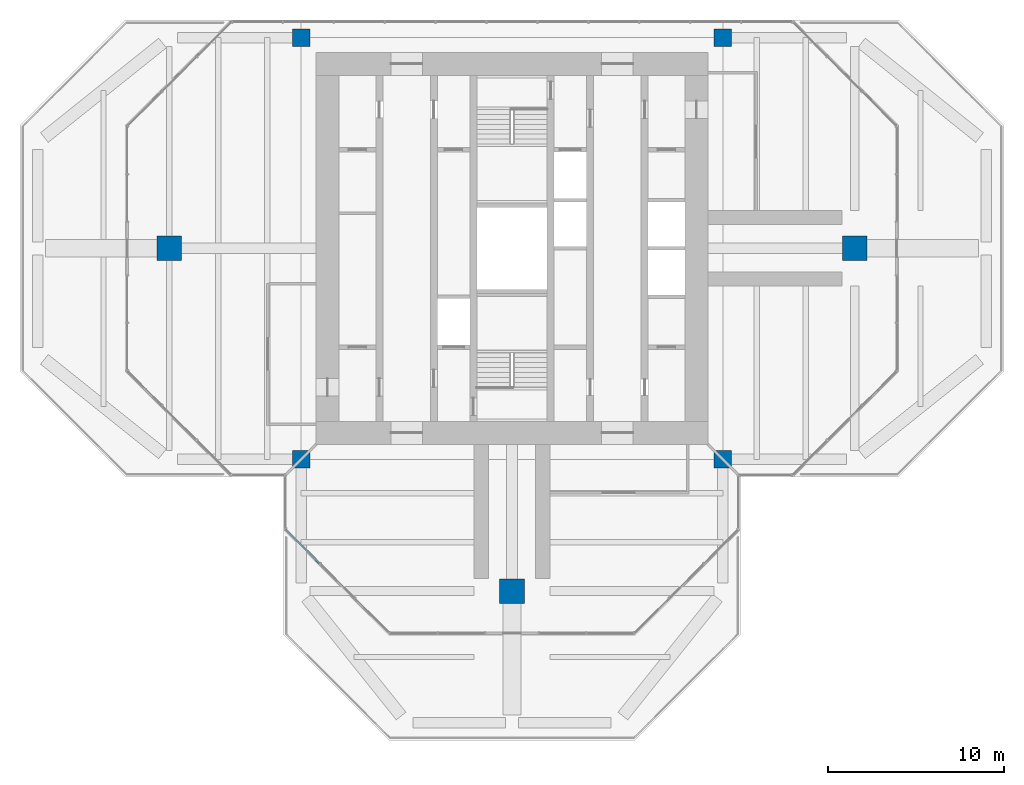
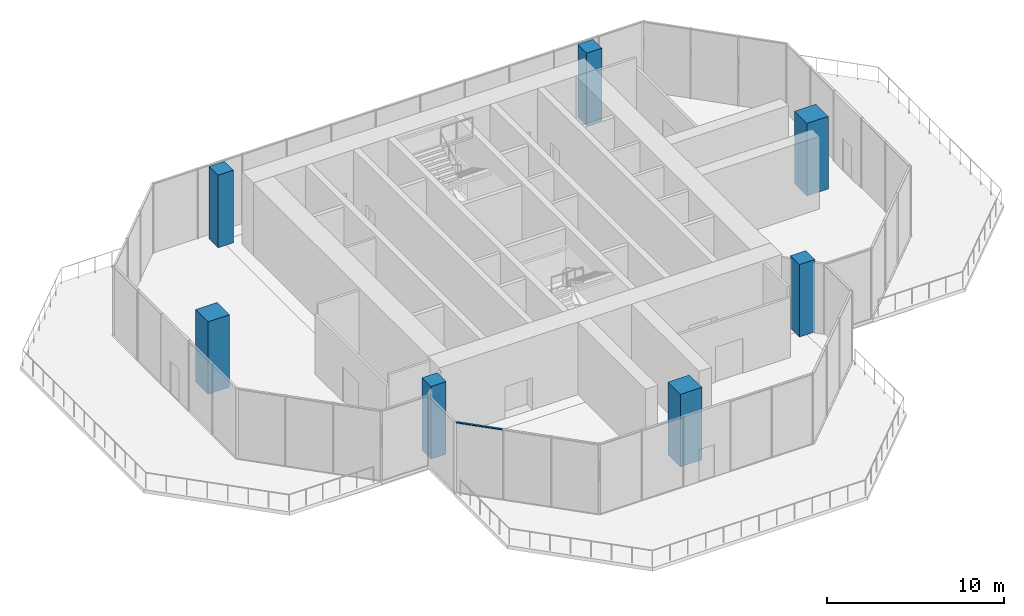
# One storey, part 1 of 13: 7 columns, 1 member, 1 element without a shape of its own.
"""IFC4 building model written with IfcOpenShell, lengths in metres."""

from ifc_helpers import new_model, si_unit, direction, frame, origin, origin_2d, place, context, subcontext, project, spatial, rectangle, extrude, material, material_profile, profile_set, type_object, element, aggregate, save


model = new_model("IFC4")

# Units and contexts
model_context = context("Model", 3, precision=1e-05, world=origin(), true_north=direction((0.0, 1.0)))
body_context = subcontext(model_context, "Body", "Model", "MODEL_VIEW")
ifc_project = project(units=[si_unit("LENGTHUNIT", "METRE"), si_unit("AREAUNIT", "SQUARE_METRE"), si_unit("VOLUMEUNIT", "CUBIC_METRE"), si_unit("PLANEANGLEUNIT", "RADIAN"), si_unit("MASSUNIT", "GRAM", prefix="KILO")], contexts=[model_context])

# Site, building, storey
site_placement = place(None, origin())
site = spatial("IfcSite", under=ifc_project, at=site_placement, CompositionType="ELEMENT")
building_placement = place(site_placement, origin())
building = spatial("IfcBuilding", under=site, at=building_placement, Name="Mizan Broadcast Tower", CompositionType="ELEMENT")
storey_placement = place(building_placement, frame((0.0, 0.0, 306.300048828125)))
storey = spatial("IfcBuildingStorey", under=building, at=storey_placement, Name="L73", CompositionType="ELEMENT", Elevation=306.300048828125)

# Columns
ifc_material_1 = material(Name="Concrete C70/85", Category="concrete")
ifc_material_profile_1 = material_profile(ifc_material_1, rectangle(XDim=1.0, YDim=1.0, at=origin_2d()), Name="RC 1000x1000")
ifc_profile_set_1 = profile_set([ifc_material_profile_1], Name="Concrete C70/85")
column_type_1 = type_object("IfcColumnType", Name="RC COLUMN 1000x1000 C70/85", PredefinedType="COLUMN", material=ifc_profile_set_1)
for number, where, z_axis, x_axis, name in (
    (1, (-12.0, -12.0, 0.0), (0.0, 0.0, 1.0), (1.0, 0.0, 0.0), "Column 4/D L73"),
    (2, (12.0, -12.0, 0.0), (0.0, 0.0, 1.0), (1.0, 0.0, 0.0), "Column 8/D L73"),
    (3, (-12.0, 12.0, 0.0), (0.0, 0.0, 1.0), (1.0, 0.0, 0.0), "Column 4/H L73"),
    (4, (12.0, 12.0, 0.0), (0.0, 0.0, 1.0), (1.0, 0.0, 0.0), "Column 8/H L73"),
):
    element("IfcColumn", number, at=place(storey_placement, frame(where, z_axis=z_axis, x_axis=x_axis)), inside=storey, type_object=column_type_1, Name=name, PredefinedType="COLUMN", context=body_context, shape_type="SweptSolid", body=[
        extrude(rectangle(XDim=1.0, YDim=1.0, at=origin_2d()), origin(), (0.0, 0.0, 1.0), 5.0),
    ])
ifc_material_2 = material(Name="Concrete C70/85", Category="concrete")
ifc_material_profile_2 = material_profile(ifc_material_2, rectangle(XDim=1.39990234375, YDim=1.39990234375, at=origin_2d()), Name="RC 1400x1400")
ifc_profile_set_2 = profile_set([ifc_material_profile_2], Name="Concrete C70/85")
column_type_2 = type_object("IfcColumnType", Name="RC COLUMN 1400x1400 C70/85", PredefinedType="COLUMN", material=ifc_profile_set_2)
for number, where, z_axis, x_axis, name in (
    (5, (0.0, -19.5, 0.0), (0.0, 0.0, 1.0), (1.0, 0.0, 0.0), "Column 6/C L73"),
    (6, (-19.5, 0.0, 0.0), (0.0, 0.0, 1.0), (1.0, 0.0, 0.0), "Column 3/F L73"),
    (7, (19.5, 0.0, 0.0), (0.0, 0.0, 1.0), (1.0, 0.0, 0.0), "Column 9/F L73"),
):
    element("IfcColumn", number, at=place(storey_placement, frame(where, z_axis=z_axis, x_axis=x_axis)), inside=storey, type_object=column_type_2, Name=name, PredefinedType="COLUMN", context=body_context, shape_type="SweptSolid", body=[
        extrude(rectangle(XDim=1.39990234375, YDim=1.39990234375, at=origin_2d()), origin(), (0.0, 0.0, 1.0), 5.0),
    ])

# Curtain wall, member
ifc_material_3 = material(Name="Aluminium framed glazing", Category="aluminium")
curtain_wall_type = type_object("IfcCurtainWallType", Name="LANTERN", PredefinedType="USERDEFINED", material=ifc_material_3)
curtain_wall_placement = place(storey_placement, origin())
curtain_wall = element("IfcCurtainWall", 8, at=curtain_wall_placement, inside=storey, type_object=curtain_wall_type, Name="Lantern L73 S chamfer", ObjectType="LANTERN", PredefinedType="USERDEFINED")
ifc_material_4 = material(Name="Aluminium, pale anodised", Category="aluminium")
ifc_material_profile_3 = material_profile(ifc_material_4, rectangle(XDim=0.1201171875, YDim=0.06005859375, at=origin_2d()), Name="TRANSOM 120x60")
ifc_profile_set_3 = profile_set([ifc_material_profile_3], Name="Aluminium, pale anodised")
member_type = type_object("IfcMemberType", Name="INNER SKIN TRANSOM 60x120", PredefinedType="USERDEFINED", material=ifc_profile_set_3)
member_placement = place(storey_placement, frame((-12.857666015625, -16.0009765625, 4.7900390625), z_axis=(0.707151809797, -0.707061749709, 0.0), x_axis=(0.707061749709, 0.707151809797, 0.0)))
member = element("IfcMember", 9, at=member_placement, type_object=member_type, Name="Lantern L73 S chamfer transom 1.1", ObjectType="TRANSOM", PredefinedType="USERDEFINED", context=body_context, shape_type="SweptSolid", body=[
    extrude(rectangle(XDim=0.1201171875, YDim=0.06005859375, at=origin_2d()), origin(), (0.0, 0.0, 1.0), 2.7109375),
])
aggregate(curtain_wall, [member])

save(model, "model.ifc")
